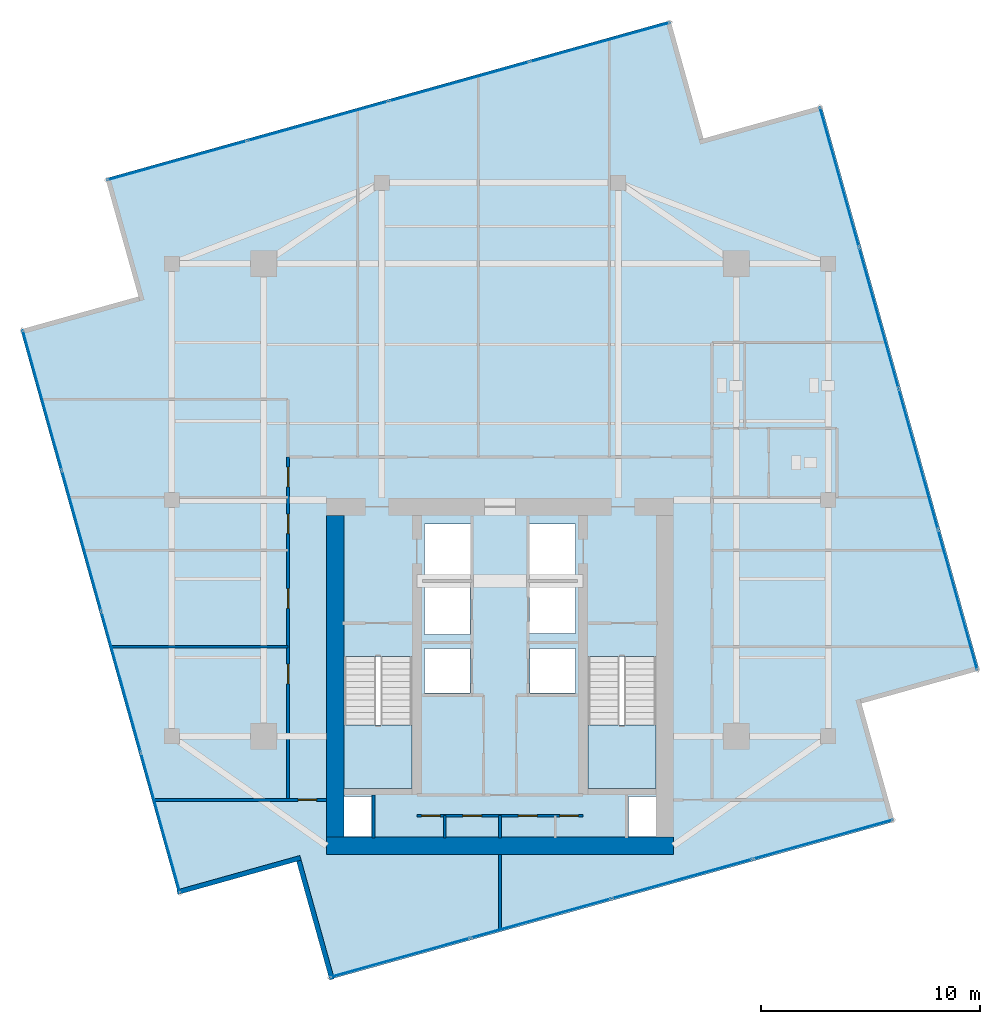
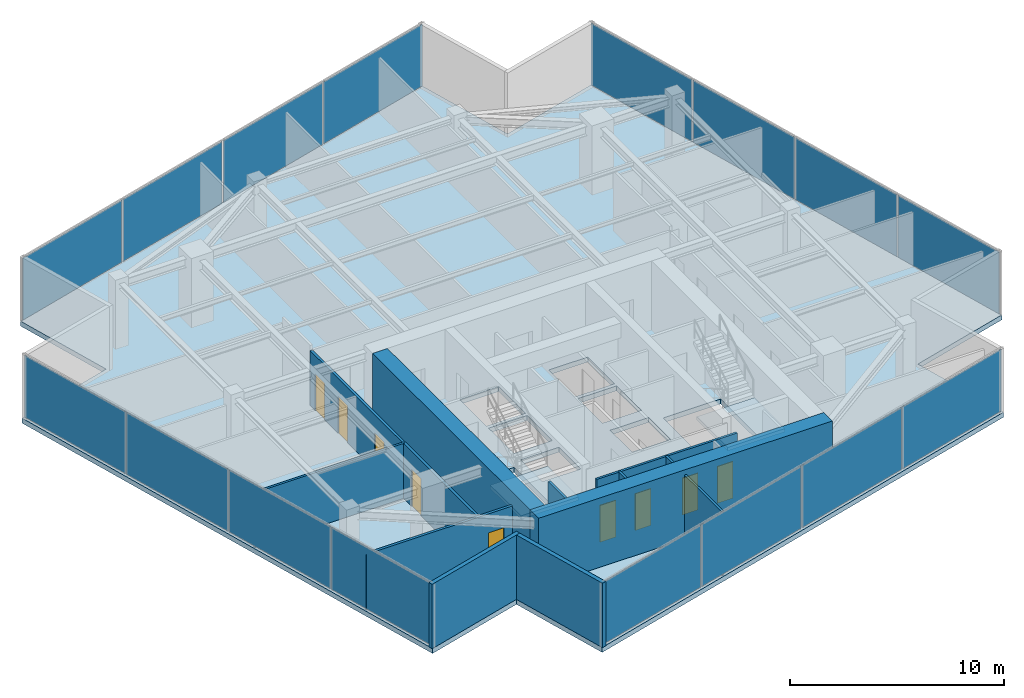
# One storey, part 16 of 20: 16 plates, 12 walls, 9 doors, 3 slabs, 9 openings, 6 elements without a shape of their own.
"""IFC4 building model written with IfcOpenShell, lengths in metres."""

from ifc_helpers import new_model, si_unit, direction, frame, frame_2d, origin, origin_2d, place, context, subcontext, project, spatial, polyline, rectangle, outline, extrude, source, transform, mapped, material, layer, layer_set, type_object, type_shapes, element, fill, aggregate, save


model = new_model("IFC4")

# Units and contexts
model_context = context("Model", 3, precision=1e-05, world=origin(), true_north=direction((0.0, 1.0)))
body_context = subcontext(model_context, "Body", "Model", "MODEL_VIEW")
ifc_project = project(units=[si_unit("LENGTHUNIT", "METRE"), si_unit("AREAUNIT", "SQUARE_METRE"), si_unit("VOLUMEUNIT", "CUBIC_METRE"), si_unit("PLANEANGLEUNIT", "RADIAN"), si_unit("MASSUNIT", "GRAM", prefix="KILO")], contexts=[model_context])

# Site, building, storey
site_placement = place(None, origin())
site = spatial("IfcSite", under=ifc_project, at=site_placement, CompositionType="ELEMENT")
building_placement = place(site_placement, origin())
building = spatial("IfcBuilding", under=site, at=building_placement, Name="Krantzveldt Concourse Tower", CompositionType="ELEMENT")
storey_placement = place(building_placement, frame((0.0, 0.0, 351.39990234375)))
storey = spatial("IfcBuildingStorey", under=building, at=storey_placement, Name="L86", CompositionType="ELEMENT", Elevation=351.39990234375)

# Stair, slab
ifc_material_1 = material(Name="Precast concrete C40/50", Category="concrete")
stair_type = type_object("IfcStairType", Name="STR-CORE-DOGLEG", PredefinedType="HALF_TURN_STAIR", material=ifc_material_1)
stair_1_placement = place(storey_placement, origin())
stair_1 = element("IfcStair", 1, at=stair_1_placement, inside=storey, type_object=stair_type, Name="L86 Protected Escape Stair ST-1", PredefinedType="HALF_TURN_STAIR")
ifc_layer_1 = layer(ifc_material_1, 0.199951171875, Name="Precast concrete C40/50", Category="concrete")
ifc_layer_set_1 = layer_set([ifc_layer_1], Name="Precast concrete C40/50 (SL-LANDING-200)")
slab_type_1 = type_object("IfcSlabType", Name="SL-LANDING-200", PredefinedType="LANDING", material=ifc_layer_set_1)
slab_1_placement = place(storey_placement, frame((0.0, 0.0, 1.775146484375)))
slab_1 = element("IfcSlab", 2, at=slab_1_placement, type_object=slab_type_1, Name="ST-1 landing 1", PredefinedType="LANDING", context=body_context, shape_type="SweptSolid", body=[
    extrude(outline(polyline([(28.8798828125, 16.4150390625), (28.8798828125, 13.52001953125), (31.97998046875, 13.52001953125), (31.97998046875, 16.4150390625), (28.8798828125, 16.4150390625)])), origin(), (0.0, 0.0, 1.0), 0.199951171875),
])
aggregate(stair_1, [slab_1])

stair_2_placement = place(storey_placement, origin())
stair_2 = element("IfcStair", 3, at=stair_2_placement, inside=storey, type_object=stair_type, Name="L86 Protected Escape Stair ST-2", PredefinedType="HALF_TURN_STAIR")
slab_2_placement = place(storey_placement, frame((0.0, 0.0, 1.775146484375)))
slab_2 = element("IfcSlab", 4, at=slab_2_placement, type_object=slab_type_1, Name="ST-2 landing 1", PredefinedType="LANDING", context=body_context, shape_type="SweptSolid", body=[
    extrude(outline(polyline([(40.02001953125, 16.4150390625), (40.02001953125, 13.52001953125), (43.1201171875, 13.52001953125), (43.1201171875, 16.4150390625), (40.02001953125, 16.4150390625)])), origin(), (0.0, 0.0, 1.0), 0.199951171875),
])
aggregate(stair_2, [slab_2])

# Slab
ifc_material_2 = material(Name="Concrete C40/50", Category="concrete")
ifc_layer_2 = layer(ifc_material_2, 0.280029296875, Name="Concrete C40/50", Category="concrete")
ifc_layer_set_2 = layer_set([ifc_layer_2], Name="Concrete C40/50 (SL-SL-TWR280)")
slab_type_2 = type_object("IfcSlabType", Name="SL-SL-TWR280", PredefinedType="FLOOR", material=ifc_layer_set_2)
slab_3_placement = place(storey_placement, frame((0.0, 0.0, -0.27978515625)))
element("IfcSlab", 5, at=slab_3_placement, inside=storey, type_object=slab_type_2, Name="SL-L86-MAIN", PredefinedType="FLOOR", context=body_context, shape_type="SweptSolid", body=[
    extrude(outline(polyline([(45.295654296875, 43.2138671875), (43.787353515625, 48.60693359375), (17.977783203125, 41.388671875), (19.486083984375, 35.99560546875), (14.093017578125, 34.4873046875), (21.311279296875, 8.677734375), (26.704345703125, 10.18603515625), (28.212646484375, 4.79296875), (54.022216796875, 12.01123046875), (52.513916015625, 17.404296875), (57.906982421875, 18.91259765625), (50.688720703125, 44.72216796875), (45.295654296875, 43.2138671875)]), holes=[polyline([(28.8798828125, 19.547607421875), (28.8798828125, 13.52001953125), (31.97998046875, 13.52001953125), (31.97998046875, 19.547607421875), (28.8798828125, 19.547607421875)]), polyline([(40.02001953125, 19.547607421875), (40.02001953125, 13.52001953125), (43.1201171875, 13.52001953125), (43.1201171875, 19.547607421875), (40.02001953125, 19.547607421875)]), polyline([(32.550048828125, 23.10009765625), (34.64990234375, 23.10009765625), (34.64990234375, 25.60009765625), (32.550048828125, 25.60009765625), (32.550048828125, 23.10009765625)]), polyline([(37.35009765625, 23.10009765625), (39.449951171875, 23.10009765625), (39.449951171875, 25.60009765625), (37.35009765625, 25.60009765625), (37.35009765625, 23.10009765625)]), polyline([(37.35009765625, 20.60009765625), (39.449951171875, 20.60009765625), (39.449951171875, 22.89990234375), (37.35009765625, 22.89990234375), (37.35009765625, 20.60009765625)]), polyline([(32.550048828125, 20.550048828125), (34.6201171875, 20.550048828125), (34.6201171875, 22.89990234375), (32.550048828125, 22.89990234375), (32.550048828125, 20.550048828125)]), polyline([(32.550048828125, 17.8798828125), (34.6201171875, 17.8798828125), (34.6201171875, 19.919921875), (32.550048828125, 19.919921875), (32.550048828125, 17.8798828125)]), polyline([(37.3798828125, 17.8798828125), (39.449951171875, 17.8798828125), (39.449951171875, 19.919921875), (37.3798828125, 19.919921875), (37.3798828125, 17.8798828125)]), polyline([(28.8798828125, 11.320068359375), (30.139892578125, 11.320068359375), (30.139892578125, 13.159912109375), (28.8798828125, 13.159912109375), (28.8798828125, 11.320068359375)]), polyline([(41.860107421875, 11.320068359375), (43.1201171875, 11.320068359375), (43.1201171875, 13.159912109375), (41.860107421875, 13.159912109375), (41.860107421875, 11.320068359375)])]), origin(), (0.0, 0.0, 1.0), 0.27978515625),
])

# Curtain wall, plates
ifc_material_3 = material(Name="Anodised aluminium 6063-T6", Category="aluminium")
curtain_wall_type = type_object("IfcCurtainWallType", Name="CW4", PredefinedType="USERDEFINED", material=ifc_material_3)
curtain_wall_1_placement = place(storey_placement, origin())
curtain_wall_1 = element("IfcCurtainWall", 6, at=curtain_wall_1_placement, inside=storey, type_object=curtain_wall_type, Name="CW-L86-F01", ObjectType="UNITISED CURTAIN WALL", PredefinedType="USERDEFINED")
ifc_material_4 = material(Name="Bronze-tinted laminated low-E IGU glass", Category="glass")
ifc_layer_3 = layer(ifc_material_4, 0.031982421875, Name="Bronze-tinted laminated low-E IGU glass", Category="glass")
ifc_layer_set_3 = layer_set([ifc_layer_3], Name="Bronze-tinted laminated low-E IGU glass (CW-GLZ-32)")
plate_type = type_object("IfcPlateType", Name="CW-GLZ-32", PredefinedType="CURTAIN_PANEL", material=ifc_layer_set_3)
shared_shape_1 = source(origin(), body_context, "Body", "SweptSolid", [
    extrude(rectangle(XDim=6.594970703125, YDim=0.031982421875, at=origin_2d()), origin(), (0.0, 0.0, 1.0), 3.530029296875),
])
plate_1_placement = place(storey_placement, frame((40.568603515625, 47.61328125, 0.0703125), z_axis=(0.0, 0.0, 1.0), x_axis=(-0.963045170968, -0.269339931454, 0.0)))
plate_1 = element("IfcPlate", 7, at=plate_1_placement, type_object=plate_type, Name="CW-Z56 panel 1.1", PredefinedType="CURTAIN_PANEL", context=body_context, shape_type="MappedRepresentation", body=[
    mapped(shared_shape_1, transform((0.0, 0.0, 0.0), x_axis=(1.0, 0.0, 0.0), y_axis=(0.0, 1.0, 0.0), z_axis=(0.0, 0.0, 1.0), scale=1.0)),
])
plate_2_placement = place(storey_placement, frame((21.2451171875, 42.208984375, 0.0703125), z_axis=(0.0, 0.0, 1.0), x_axis=(-0.963045170968, -0.269339931454, 0.0)))
plate_2 = element("IfcPlate", 8, at=plate_2_placement, type_object=plate_type, Name="CW-Z56 panel 4.1", PredefinedType="CURTAIN_PANEL", context=body_context, shape_type="MappedRepresentation", body=[
    mapped(shared_shape_1, transform((0.0, 0.0, 0.0), x_axis=(1.0, 0.0, 0.0), y_axis=(0.0, 1.0, 0.0), z_axis=(0.0, 0.0, 1.0), scale=1.0)),
])

curtain_wall_2_placement = place(storey_placement, origin())
curtain_wall_2 = element("IfcCurtainWall", 9, at=curtain_wall_2_placement, inside=storey, type_object=curtain_wall_type, Name="CW-L86-F04", ObjectType="UNITISED CURTAIN WALL", PredefinedType="USERDEFINED")
plate_3_placement = place(storey_placement, frame((15.086669921875, 31.2685546875, 0.0703125), z_axis=(0.0, 0.0, 1.0), x_axis=(0.269339931454, -0.963045170968, 0.0)))
plate_3 = element("IfcPlate", 10, at=plate_3_placement, type_object=plate_type, Name="CW-Z56 panel 1.1", PredefinedType="CURTAIN_PANEL", context=body_context, shape_type="MappedRepresentation", body=[
    mapped(shared_shape_1, transform((0.0, 0.0, 0.0), x_axis=(1.0, 0.0, 0.0), y_axis=(0.0, 1.0, 0.0), z_axis=(0.0, 0.0, 1.0), scale=1.0)),
])
plate_4_placement = place(storey_placement, frame((20.490966796875, 11.945068359375, 0.0703125), z_axis=(0.0, 0.0, 1.0), x_axis=(0.269339931454, -0.963045170968, 0.0)))
plate_4 = element("IfcPlate", 11, at=plate_4_placement, type_object=plate_type, Name="CW-Z56 panel 4.1", PredefinedType="CURTAIN_PANEL", context=body_context, shape_type="MappedRepresentation", body=[
    mapped(shared_shape_1, transform((0.0, 0.0, 0.0), x_axis=(1.0, 0.0, 0.0), y_axis=(0.0, 1.0, 0.0), z_axis=(0.0, 0.0, 1.0), scale=1.0)),
])

curtain_wall_3_placement = place(storey_placement, origin())
curtain_wall_3 = element("IfcCurtainWall", 12, at=curtain_wall_3_placement, inside=storey, type_object=curtain_wall_type, Name="CW-L86-F07", ObjectType="UNITISED CURTAIN WALL", PredefinedType="USERDEFINED")
plate_5_placement = place(storey_placement, frame((31.431396484375, 5.78662109375, 0.0703125), z_axis=(0.0, 0.0, 1.0), x_axis=(0.963045170968, 0.269339931454, 0.0)))
plate_5 = element("IfcPlate", 13, at=plate_5_placement, type_object=plate_type, Name="CW-Z56 panel 1.1", PredefinedType="CURTAIN_PANEL", context=body_context, shape_type="MappedRepresentation", body=[
    mapped(shared_shape_1, transform((0.0, 0.0, 0.0), x_axis=(1.0, 0.0, 0.0), y_axis=(0.0, 1.0, 0.0), z_axis=(0.0, 0.0, 1.0), scale=1.0)),
])
plate_6_placement = place(storey_placement, frame((50.7548828125, 11.19091796875, 0.0703125), z_axis=(0.0, 0.0, 1.0), x_axis=(0.963045170968, 0.269339931454, 0.0)))
plate_6 = element("IfcPlate", 14, at=plate_6_placement, type_object=plate_type, Name="CW-Z56 panel 4.1", PredefinedType="CURTAIN_PANEL", context=body_context, shape_type="MappedRepresentation", body=[
    mapped(shared_shape_1, transform((0.0, 0.0, 0.0), x_axis=(1.0, 0.0, 0.0), y_axis=(0.0, 1.0, 0.0), z_axis=(0.0, 0.0, 1.0), scale=1.0)),
])

curtain_wall_4_placement = place(storey_placement, origin())
curtain_wall_4 = element("IfcCurtainWall", 15, at=curtain_wall_4_placement, inside=storey, type_object=curtain_wall_type, Name="CW-L86-F10", ObjectType="UNITISED CURTAIN WALL", PredefinedType="USERDEFINED")
plate_7_placement = place(storey_placement, frame((56.913330078125, 22.131591796875, 0.0703125), z_axis=(0.0, 0.0, 1.0), x_axis=(-0.269339931454, 0.963045170968, 0.0)))
plate_7 = element("IfcPlate", 16, at=plate_7_placement, type_object=plate_type, Name="CW-Z56 panel 1.1", PredefinedType="CURTAIN_PANEL", context=body_context, shape_type="MappedRepresentation", body=[
    mapped(shared_shape_1, transform((0.0, 0.0, 0.0), x_axis=(1.0, 0.0, 0.0), y_axis=(0.0, 1.0, 0.0), z_axis=(0.0, 0.0, 1.0), scale=1.0)),
])
plate_8_placement = place(storey_placement, frame((51.509033203125, 41.455078125, 0.0703125), z_axis=(0.0, 0.0, 1.0), x_axis=(-0.269339931454, 0.963045170968, 0.0)))
plate_8 = element("IfcPlate", 17, at=plate_8_placement, type_object=plate_type, Name="CW-Z56 panel 4.1", PredefinedType="CURTAIN_PANEL", context=body_context, shape_type="MappedRepresentation", body=[
    mapped(shared_shape_1, transform((0.0, 0.0, 0.0), x_axis=(1.0, 0.0, 0.0), y_axis=(0.0, 1.0, 0.0), z_axis=(0.0, 0.0, 1.0), scale=1.0)),
])

# Plate
shared_shape_2 = source(origin(), body_context, "Body", "SweptSolid", [
    extrude(rectangle(XDim=6.6298828125, YDim=0.031982421875, at=origin_2d()), origin(), (0.0, 0.0, 1.0), 3.530029296875),
])
type_shapes(plate_type, [shared_shape_1, shared_shape_2])
plate_9_placement = place(storey_placement, frame((34.133056640625, 45.8134765625, 0.0703125), z_axis=(0.0, 0.0, 1.0), x_axis=(-0.963045170968, -0.269339931454, 0.0)))
plate_9 = element("IfcPlate", 18, at=plate_9_placement, type_object=plate_type, Name="CW-Z56 panel 2.1", PredefinedType="CURTAIN_PANEL", context=body_context, shape_type="MappedRepresentation", body=[
    mapped(shared_shape_2, transform((0.0, 0.0, 0.0), x_axis=(1.0, 0.0, 0.0), y_axis=(0.0, 1.0, 0.0), z_axis=(0.0, 0.0, 1.0), scale=1.0)),
])

plate_10_placement = place(storey_placement, frame((27.6806640625, 44.0087890625, 0.0703125), z_axis=(0.0, 0.0, 1.0), x_axis=(-0.963045170968, -0.269339931454, 0.0)))
plate_10 = element("IfcPlate", 19, at=plate_10_placement, type_object=plate_type, Name="CW-Z56 panel 3.1", PredefinedType="CURTAIN_PANEL", context=body_context, shape_type="MappedRepresentation", body=[
    mapped(shared_shape_2, transform((0.0, 0.0, 0.0), x_axis=(1.0, 0.0, 0.0), y_axis=(0.0, 1.0, 0.0), z_axis=(0.0, 0.0, 1.0), scale=1.0)),
])

aggregate(curtain_wall_1, [plate_1, plate_9, plate_10, plate_2])

plate_11_placement = place(storey_placement, frame((16.886474609375, 24.8330078125, 0.0703125), z_axis=(0.0, 0.0, 1.0), x_axis=(0.269339931454, -0.963045170968, 0.0)))
plate_11 = element("IfcPlate", 20, at=plate_11_placement, type_object=plate_type, Name="CW-Z56 panel 2.1", PredefinedType="CURTAIN_PANEL", context=body_context, shape_type="MappedRepresentation", body=[
    mapped(shared_shape_2, transform((0.0, 0.0, 0.0), x_axis=(1.0, 0.0, 0.0), y_axis=(0.0, 1.0, 0.0), z_axis=(0.0, 0.0, 1.0), scale=1.0)),
])

plate_12_placement = place(storey_placement, frame((18.691162109375, 18.380615234375, 0.0703125), z_axis=(0.0, 0.0, 1.0), x_axis=(0.269339931454, -0.963045170968, 0.0)))
plate_12 = element("IfcPlate", 21, at=plate_12_placement, type_object=plate_type, Name="CW-Z56 panel 3.1", PredefinedType="CURTAIN_PANEL", context=body_context, shape_type="MappedRepresentation", body=[
    mapped(shared_shape_2, transform((0.0, 0.0, 0.0), x_axis=(1.0, 0.0, 0.0), y_axis=(0.0, 1.0, 0.0), z_axis=(0.0, 0.0, 1.0), scale=1.0)),
])

aggregate(curtain_wall_2, [plate_3, plate_11, plate_12, plate_4])

plate_13_placement = place(storey_placement, frame((37.866943359375, 7.58642578125, 0.0703125), z_axis=(0.0, 0.0, 1.0), x_axis=(0.963045170968, 0.269339931454, 0.0)))
plate_13 = element("IfcPlate", 22, at=plate_13_placement, type_object=plate_type, Name="CW-Z56 panel 2.1", PredefinedType="CURTAIN_PANEL", context=body_context, shape_type="MappedRepresentation", body=[
    mapped(shared_shape_2, transform((0.0, 0.0, 0.0), x_axis=(1.0, 0.0, 0.0), y_axis=(0.0, 1.0, 0.0), z_axis=(0.0, 0.0, 1.0), scale=1.0)),
])

plate_14_placement = place(storey_placement, frame((44.3193359375, 9.39111328125, 0.0703125), z_axis=(0.0, 0.0, 1.0), x_axis=(0.963045170968, 0.269339931454, 0.0)))
plate_14 = element("IfcPlate", 23, at=plate_14_placement, type_object=plate_type, Name="CW-Z56 panel 3.1", PredefinedType="CURTAIN_PANEL", context=body_context, shape_type="MappedRepresentation", body=[
    mapped(shared_shape_2, transform((0.0, 0.0, 0.0), x_axis=(1.0, 0.0, 0.0), y_axis=(0.0, 1.0, 0.0), z_axis=(0.0, 0.0, 1.0), scale=1.0)),
])

aggregate(curtain_wall_3, [plate_5, plate_13, plate_14, plate_6])

plate_15_placement = place(storey_placement, frame((55.113525390625, 28.567138671875, 0.0703125), z_axis=(0.0, 0.0, 1.0), x_axis=(-0.269339931454, 0.963045170968, 0.0)))
plate_15 = element("IfcPlate", 24, at=plate_15_placement, type_object=plate_type, Name="CW-Z56 panel 2.1", PredefinedType="CURTAIN_PANEL", context=body_context, shape_type="MappedRepresentation", body=[
    mapped(shared_shape_2, transform((0.0, 0.0, 0.0), x_axis=(1.0, 0.0, 0.0), y_axis=(0.0, 1.0, 0.0), z_axis=(0.0, 0.0, 1.0), scale=1.0)),
])

plate_16_placement = place(storey_placement, frame((53.308837890625, 35.01953125, 0.0703125), z_axis=(0.0, 0.0, 1.0), x_axis=(-0.269339931454, 0.963045170968, 0.0)))
plate_16 = element("IfcPlate", 25, at=plate_16_placement, type_object=plate_type, Name="CW-Z56 panel 3.1", PredefinedType="CURTAIN_PANEL", context=body_context, shape_type="MappedRepresentation", body=[
    mapped(shared_shape_2, transform((0.0, 0.0, 0.0), x_axis=(1.0, 0.0, 0.0), y_axis=(0.0, 1.0, 0.0), z_axis=(0.0, 0.0, 1.0), scale=1.0)),
])

aggregate(curtain_wall_4, [plate_7, plate_15, plate_16, plate_8])

# Walls
ifc_layer_4 = layer(ifc_material_3, 0.219970703125, Name="Anodised aluminium 6063-T6", Category="aluminium")
ifc_layer_set_4 = layer_set([ifc_layer_4], Name="Anodised aluminium 6063-T6 (WL-EXT-NOTCH220)")
wall_type_1 = type_object("IfcWallType", Name="WL-EXT-NOTCH220", PredefinedType="ELEMENTEDWALL", material=ifc_layer_set_4)
wall_1_placement = place(storey_placement, frame((21.257568359375, 8.77685546875, 0.0), z_axis=(0.0, 0.0, 1.0), x_axis=(0.963036430781, 0.269371180695, 0.0)))
element("IfcWall", 26, at=wall_1_placement, inside=storey, type_object=wall_type_1, Name="EW-L86-NCH05", PredefinedType="ELEMENTEDWALL", context=body_context, shape_type="SweptSolid", body=[
    extrude(rectangle(XDim=5.844970703125, YDim=0.219970703125, at=frame_2d((2.92236328125, 0.0))), origin(), (0.0, 0.0, 1.0), 3.670166015625),
])
wall_2_placement = place(storey_placement, frame((26.810302734375, 10.215576171875, 0.0), z_axis=(0.0, 0.0, 1.0), x_axis=(0.269362667524, -0.963038811961, 0.0)))
element("IfcWall", 27, at=wall_2_placement, inside=storey, type_object=wall_type_1, Name="EW-L86-NCH06", PredefinedType="ELEMENTEDWALL", context=body_context, shape_type="SweptSolid", body=[
    extrude(rectangle(XDim=5.625, YDim=0.219970703125, at=frame_2d((2.8125, 0.0))), origin(), (0.0, 0.0, 1.0), 3.670166015625),
])

# Wall, openings, doors
ifc_material_5 = material(Name="Fire-rated gypsum plasterboard on steel stud", Category="steel")
ifc_layer_5 = layer(ifc_material_5, 0.1201171875, Name="Fire-rated gypsum plasterboard on steel stud", Category="steel")
ifc_layer_set_5 = layer_set([ifc_layer_5], Name="Fire-rated gypsum plasterboard on steel stud (WL-PART-120)")
wall_type_2 = type_object("IfcWallType", Name="WL-PART-120", PredefinedType="PARTITIONING", material=ifc_layer_set_5)
wall_3_placement = place(storey_placement, frame((32.2099609375, 12.280029296875, 0.0), z_axis=(0.0, 0.0, 1.0), x_axis=(1.0, 0.0, 0.0)))
wall_3 = element("IfcWall", 28, at=wall_3_placement, inside=storey, type_object=wall_type_2, Name="WP-L86-CSD-HM", PredefinedType="PARTITIONING", context=body_context, shape_type="SweptSolid", body=[
    extrude(rectangle(XDim=7.580078125, YDim=0.1201171875, at=frame_2d((3.7900390625, 0.0))), origin(), (0.0, 0.0, 1.0), 3.670166015625),
])
opening_1_placement = place(wall_3_placement, frame((0.205078125, 0.0, 0.0)))
opening_1 = element("IfcOpeningElement", 29, at=opening_1_placement, cuts=wall_3, Name="Opening D-IN085", PredefinedType="OPENING", context=body_context, shape_type="SweptSolid", body=[
    extrude(rectangle(XDim=0.85009765625, YDim=2.10009765625, at=frame_2d((0.425048828125, 1.050048828125))), frame((0.0, 0.070068359375, 0.0), z_axis=(0.0, -1.0, 0.0), x_axis=(1.0, 0.0, 0.0)), (0.0, 0.0, 1.0), 0.14013671875),
])
opening_2_placement = place(wall_3_placement, frame((2.094970703125, 0.0, 0.0)))
opening_2 = element("IfcOpeningElement", 30, at=opening_2_placement, cuts=wall_3, Name="Opening D-IN085", PredefinedType="OPENING", context=body_context, shape_type="SweptSolid", body=[
    extrude(rectangle(XDim=0.85009765625, YDim=2.10009765625, at=frame_2d((0.425048828125, 1.050048828125))), frame((0.0, 0.070068359375, 0.0), z_axis=(0.0, -1.0, 0.0), x_axis=(1.0, 0.0, 0.0)), (0.0, 0.0, 1.0), 0.14013671875),
])
opening_3_placement = place(wall_3_placement, frame((4.635009765625, 0.0, 0.0)))
opening_3 = element("IfcOpeningElement", 31, at=opening_3_placement, cuts=wall_3, Name="Opening D-IN085", PredefinedType="OPENING", context=body_context, shape_type="SweptSolid", body=[
    extrude(rectangle(XDim=0.85009765625, YDim=2.10009765625, at=frame_2d((0.425048828125, 1.050048828125))), frame((0.0, 0.070068359375, 0.0), z_axis=(0.0, -1.0, 0.0), x_axis=(1.0, 0.0, 0.0)), (0.0, 0.0, 1.0), 0.14013671875),
])
opening_4_placement = place(wall_3_placement, frame((6.52490234375, 0.0, 0.0)))
opening_4 = element("IfcOpeningElement", 32, at=opening_4_placement, cuts=wall_3, Name="Opening D-IN085", PredefinedType="OPENING", context=body_context, shape_type="SweptSolid", body=[
    extrude(rectangle(XDim=0.85009765625, YDim=2.10009765625, at=frame_2d((0.425048828125, 1.050048828125))), frame((0.0, 0.070068359375, 0.0), z_axis=(0.0, -1.0, 0.0), x_axis=(1.0, 0.0, 0.0)), (0.0, 0.0, 1.0), 0.14013671875),
])
ifc_material_6 = material(Name="Hardwood timber", Category="wood")
door_type_1 = type_object("IfcDoorType", Name="DR-INT-850", OperationType="SINGLE_SWING_LEFT", PredefinedType="DOOR", material=ifc_material_6)
door_1_placement = place(opening_1_placement, origin())
door_1 = element("IfcDoor", 33, at=door_1_placement, inside=storey, type_object=door_type_1, Name="DR-L86-CSD1", OperationType="SINGLE_SWING_RIGHT", OverallHeight=2.10009765625, OverallWidth=0.85009765625, PredefinedType="DOOR", context=body_context, shape_type="SweptSolid", body=[
    extrude(rectangle(XDim=0.85009765625, YDim=2.10009765625, at=frame_2d((0.425048828125, 1.050048828125))), frame((0.0, 0.02490234375, 0.0), z_axis=(0.0, -1.0, 0.0), x_axis=(1.0, 0.0, 0.0)), (0.0, 0.0, 1.0), 0.050048828125),
])
fill(opening_1, door_1)
door_2_placement = place(opening_2_placement, origin())
door_2 = element("IfcDoor", 34, at=door_2_placement, inside=storey, type_object=door_type_1, Name="DR-L86-CSD2", OperationType="SINGLE_SWING_RIGHT", OverallHeight=2.10009765625, OverallWidth=0.85009765625, PredefinedType="DOOR", context=body_context, shape_type="SweptSolid", body=[
    extrude(rectangle(XDim=0.85009765625, YDim=2.10009765625, at=frame_2d((0.425048828125, 1.050048828125))), frame((0.0, 0.02490234375, 0.0), z_axis=(0.0, -1.0, 0.0), x_axis=(1.0, 0.0, 0.0)), (0.0, 0.0, 1.0), 0.050048828125),
])
fill(opening_2, door_2)
door_3_placement = place(opening_3_placement, origin())
door_3 = element("IfcDoor", 35, at=door_3_placement, inside=storey, type_object=door_type_1, Name="DR-L86-CSD3", OperationType="SINGLE_SWING_RIGHT", OverallHeight=2.10009765625, OverallWidth=0.85009765625, PredefinedType="DOOR", context=body_context, shape_type="SweptSolid", body=[
    extrude(rectangle(XDim=0.85009765625, YDim=2.10009765625, at=frame_2d((0.425048828125, 1.050048828125))), frame((0.0, 0.02490234375, 0.0), z_axis=(0.0, -1.0, 0.0), x_axis=(1.0, 0.0, 0.0)), (0.0, 0.0, 1.0), 0.050048828125),
])
fill(opening_3, door_3)
door_4_placement = place(opening_4_placement, origin())
door_4 = element("IfcDoor", 36, at=door_4_placement, inside=storey, type_object=door_type_1, Name="DR-L86-CSD4", OperationType="SINGLE_SWING_RIGHT", OverallHeight=2.10009765625, OverallWidth=0.85009765625, PredefinedType="DOOR", context=body_context, shape_type="SweptSolid", body=[
    extrude(rectangle(XDim=0.85009765625, YDim=2.10009765625, at=frame_2d((0.425048828125, 1.050048828125))), frame((0.0, 0.02490234375, 0.0), z_axis=(0.0, -1.0, 0.0), x_axis=(1.0, 0.0, 0.0)), (0.0, 0.0, 1.0), 0.050048828125),
])
fill(opening_4, door_4)

# Walls
for number, where, z_axis, x_axis, name in (
    (37, (33.469970703125, 11.25, 0.0), (0.0, 0.0, 1.0), (0.0, 1.0, 0.0), "WP-L86-CSD-V1"),
    (38, (36.0, 11.25, 0.0), (0.0, 0.0, 1.0), (0.0, 1.0, 0.0), "WP-L86-CSD-V2"),
):
    element("IfcWall", number, at=place(storey_placement, frame(where, z_axis=z_axis, x_axis=x_axis)), inside=storey, type_object=wall_type_2, Name=name, PredefinedType="PARTITIONING", context=body_context, shape_type="SweptSolid", body=[
        extrude(rectangle(XDim=1.030029296875, YDim=0.1201171875, at=frame_2d((0.51513671875, 0.0))), origin(), (0.0, 0.0, 1.0), 3.670166015625),
    ])
wall_4_placement = place(storey_placement, frame((18.23828125, 20.0, 0.0), z_axis=(0.0, 0.0, 1.0), x_axis=(1.0, 0.0, 0.0)))
element("IfcWall", 39, at=wall_4_placement, inside=storey, type_object=wall_type_2, Name="WP-L86-WD1", PredefinedType="PARTITIONING", context=body_context, shape_type="SweptSolid", body=[
    extrude(rectangle(XDim=8.081787109375, YDim=0.1201171875, at=frame_2d((4.041015625, 0.0))), origin(), (0.0, 0.0, 1.0), 3.130126953125),
])
wall_5_placement = place(storey_placement, frame((36.0, 7.064453125, 0.0), z_axis=(0.0, 0.0, 1.0), x_axis=(0.0, 1.0, 0.0)))
element("IfcWall", 40, at=wall_5_placement, inside=storey, type_object=wall_type_2, Name="WP-L86-SSMD", PredefinedType="PARTITIONING", context=body_context, shape_type="SweptSolid", body=[
    extrude(rectangle(XDim=3.435546875, YDim=0.1201171875, at=frame_2d((1.7177734375, 0.0))), origin(), (0.0, 0.0, 1.0), 3.670166015625),
])

# Wall, openings, doors
ifc_layer_6 = layer(ifc_material_5, 0.139892578125, Name="Fire-rated gypsum plasterboard on steel stud", Category="steel")
ifc_layer_set_6 = layer_set([ifc_layer_6], Name="Fire-rated gypsum plasterboard on steel stud (WL-PART-140)")
wall_type_3 = type_object("IfcWallType", Name="WL-PART-140", PredefinedType="PARTITIONING", material=ifc_layer_set_6)
wall_6_placement = place(storey_placement, frame((26.320068359375, 13.0, 0.0), z_axis=(0.0, 0.0, 1.0), x_axis=(0.0, 1.0, 0.0)))
wall_6 = element("IfcWall", 41, at=wall_6_placement, inside=storey, type_object=wall_type_3, Name="WP-L86-CWEST", PredefinedType="PARTITIONING", context=body_context, shape_type="SweptSolid", body=[
    extrude(rectangle(XDim=15.659912109375, YDim=0.139892578125, at=frame_2d((7.830078125, 0.0))), origin(), (0.0, 0.0, 1.0), 3.130126953125),
])
opening_5_placement = place(wall_6_placement, frame((14.300048828125, 0.0, 0.0)))
opening_5 = element("IfcOpeningElement", 42, at=opening_5_placement, cuts=wall_6, Name="Opening D-IN090", PredefinedType="OPENING", context=body_context, shape_type="SweptSolid", body=[
    extrude(rectangle(XDim=0.89990234375, YDim=2.10009765625, at=frame_2d((0.449951171875, 1.050048828125))), frame((0.0, 0.080078125, 0.0), z_axis=(0.0, -1.0, 0.0), x_axis=(1.0, 0.0, 0.0)), (0.0, 0.0, 1.0), 0.159912109375),
])
opening_6_placement = place(wall_6_placement, frame((5.300048828125, 0.0, 0.0)))
opening_6 = element("IfcOpeningElement", 43, at=opening_6_placement, cuts=wall_6, Name="Opening D-IN090", PredefinedType="OPENING", context=body_context, shape_type="SweptSolid", body=[
    extrude(rectangle(XDim=0.89990234375, YDim=2.10009765625, at=frame_2d((0.449951171875, 1.050048828125))), frame((0.0, 0.080078125, 0.0), z_axis=(0.0, -1.0, 0.0), x_axis=(1.0, 0.0, 0.0)), (0.0, 0.0, 1.0), 0.159912109375),
])
opening_7_placement = place(wall_6_placement, frame((8.75, 0.0, 0.0)))
opening_7 = element("IfcOpeningElement", 44, at=opening_7_placement, cuts=wall_6, Name="Opening D-IN090", PredefinedType="OPENING", context=body_context, shape_type="SweptSolid", body=[
    extrude(rectangle(XDim=0.89990234375, YDim=2.10009765625, at=frame_2d((0.449951171875, 1.050048828125))), frame((0.0, 0.080078125, 0.0), z_axis=(0.0, -1.0, 0.0), x_axis=(1.0, 0.0, 0.0)), (0.0, 0.0, 1.0), 0.159912109375),
])
opening_8_placement = place(wall_6_placement, frame((12.159912109375, 0.0, 0.0)))
opening_8 = element("IfcOpeningElement", 45, at=opening_8_placement, cuts=wall_6, Name="Opening D-IN090", PredefinedType="OPENING", context=body_context, shape_type="SweptSolid", body=[
    extrude(rectangle(XDim=0.89990234375, YDim=2.10009765625, at=frame_2d((0.449951171875, 1.050048828125))), frame((0.0, 0.080078125, 0.0), z_axis=(0.0, -1.0, 0.0), x_axis=(1.0, 0.0, 0.0)), (0.0, 0.0, 1.0), 0.159912109375),
])
door_type_2 = type_object("IfcDoorType", Name="DR-INT-900", OperationType="SINGLE_SWING_LEFT", PredefinedType="DOOR", material=ifc_material_6)
door_5_placement = place(opening_5_placement, origin())
door_5 = element("IfcDoor", 46, at=door_5_placement, inside=storey, type_object=door_type_2, Name="DR-L86-PNT", OperationType="SINGLE_SWING_LEFT", OverallHeight=2.10009765625, OverallWidth=0.89990234375, PredefinedType="DOOR", context=body_context, shape_type="SweptSolid", body=[
    extrude(rectangle(XDim=0.89990234375, YDim=2.10009765625, at=frame_2d((0.449951171875, 1.050048828125))), frame((0.0, 0.02490234375, 0.0), z_axis=(0.0, -1.0, 0.0), x_axis=(1.0, 0.0, 0.0)), (0.0, 0.0, 1.0), 0.050048828125),
])
fill(opening_5, door_5)
door_6_placement = place(opening_6_placement, origin())
door_6 = element("IfcDoor", 47, at=door_6_placement, inside=storey, type_object=door_type_2, Name="DR-L86-WR1", OperationType="SINGLE_SWING_LEFT", OverallHeight=2.10009765625, OverallWidth=0.89990234375, PredefinedType="DOOR", context=body_context, shape_type="SweptSolid", body=[
    extrude(rectangle(XDim=0.89990234375, YDim=2.10009765625, at=frame_2d((0.449951171875, 1.050048828125))), frame((0.0, 0.02490234375, 0.0), z_axis=(0.0, -1.0, 0.0), x_axis=(1.0, 0.0, 0.0)), (0.0, 0.0, 1.0), 0.050048828125),
])
fill(opening_6, door_6)
door_7_placement = place(opening_7_placement, origin())
door_7 = element("IfcDoor", 48, at=door_7_placement, inside=storey, type_object=door_type_2, Name="DR-L86-WR2", OperationType="SINGLE_SWING_LEFT", OverallHeight=2.10009765625, OverallWidth=0.89990234375, PredefinedType="DOOR", context=body_context, shape_type="SweptSolid", body=[
    extrude(rectangle(XDim=0.89990234375, YDim=2.10009765625, at=frame_2d((0.449951171875, 1.050048828125))), frame((0.0, 0.02490234375, 0.0), z_axis=(0.0, -1.0, 0.0), x_axis=(1.0, 0.0, 0.0)), (0.0, 0.0, 1.0), 0.050048828125),
])
fill(opening_7, door_7)
door_8_placement = place(opening_8_placement, origin())
door_8 = element("IfcDoor", 49, at=door_8_placement, inside=storey, type_object=door_type_2, Name="DR-L86-WR3", OperationType="SINGLE_SWING_LEFT", OverallHeight=2.10009765625, OverallWidth=0.89990234375, PredefinedType="DOOR", context=body_context, shape_type="SweptSolid", body=[
    extrude(rectangle(XDim=0.89990234375, YDim=2.10009765625, at=frame_2d((0.449951171875, 1.050048828125))), frame((0.0, 0.02490234375, 0.0), z_axis=(0.0, -1.0, 0.0), x_axis=(1.0, 0.0, 0.0)), (0.0, 0.0, 1.0), 0.050048828125),
])
fill(opening_8, door_8)

# Wall, opening, door
wall_7_placement = place(storey_placement, frame((20.19580078125, 13.0, 0.0), z_axis=(0.0, 0.0, 1.0), x_axis=(1.0, 0.0, 0.0)))
wall_7 = element("IfcWall", 50, at=wall_7_placement, inside=storey, type_object=wall_type_3, Name="WP-L86-CSBOTW", PredefinedType="PARTITIONING", context=body_context, shape_type="SweptSolid", body=[
    extrude(rectangle(XDim=7.88427734375, YDim=0.139892578125, at=frame_2d((3.942138671875, 0.0))), origin(), (0.0, 0.0, 1.0), 3.18017578125),
])
opening_9_placement = place(wall_7_placement, frame((6.5791015625, 0.0, 0.0)))
opening_9 = element("IfcOpeningElement", 51, at=opening_9_placement, cuts=wall_7, Name="Opening D-IN085", PredefinedType="OPENING", context=body_context, shape_type="SweptSolid", body=[
    extrude(rectangle(XDim=0.85009765625, YDim=2.10009765625, at=frame_2d((0.425048828125, 1.050048828125))), frame((0.0, 0.080078125, 0.0), z_axis=(0.0, -1.0, 0.0), x_axis=(1.0, 0.0, 0.0)), (0.0, 0.0, 1.0), 0.159912109375),
])
door_9_placement = place(opening_9_placement, origin())
door_9 = element("IfcDoor", 52, at=door_9_placement, inside=storey, type_object=door_type_1, Name="DR-L86-SR1", OperationType="SINGLE_SWING_LEFT", OverallHeight=2.10009765625, OverallWidth=0.85009765625, PredefinedType="DOOR", context=body_context, shape_type="SweptSolid", body=[
    extrude(rectangle(XDim=0.85009765625, YDim=2.10009765625, at=frame_2d((0.425048828125, 1.050048828125))), frame((0.0, 0.02490234375, 0.0), z_axis=(0.0, -1.0, 0.0), x_axis=(1.0, 0.0, 0.0)), (0.0, 0.0, 1.0), 0.050048828125),
])
fill(opening_9, door_9)

# Walls
ifc_layer_7 = layer(ifc_material_5, 0.139892578125, Name="Fire-rated gypsum plasterboard on steel stud", Category="steel")
ifc_layer_set_7 = layer_set([ifc_layer_7], Name="Fire-rated gypsum plasterboard on steel stud (WL-PART-FR140)")
wall_type_4 = type_object("IfcWallType", Name="WL-PART-FR140", PredefinedType="PARTITIONING", material=ifc_layer_set_7)
wall_8_placement = place(storey_placement, frame((30.219970703125, 11.25, 0.0), z_axis=(0.0, 0.0, 1.0), x_axis=(0.0, 1.0, 0.0)))
element("IfcWall", 53, at=wall_8_placement, inside=storey, type_object=wall_type_4, Name="WP-L86-RSW", PredefinedType="PARTITIONING", context=body_context, shape_type="SweptSolid", body=[
    extrude(rectangle(XDim=1.969970703125, YDim=0.1201171875, at=frame_2d((0.98486328125, 0.0))), origin(), (0.0, 0.0, 1.0), 3.670166015625),
])
ifc_material_7 = material(Name="Concrete C60/75", Category="concrete")
ifc_layer_8 = layer(ifc_material_7, 0.800048828125, Name="Concrete C60/75", Category="concrete")
ifc_layer_set_8 = layer_set([ifc_layer_8], Name="Concrete C60/75 (WL-SHEAR-800)")
wall_type_5 = type_object("IfcWallType", Name="WL-SHEAR-800", PredefinedType="SHEAR", material=ifc_layer_set_8)
wall_9_placement = place(storey_placement, frame((28.080078125, 10.89990234375, 0.0), z_axis=(0.0, 0.0, 1.0), x_axis=(1.0, 0.0, 0.0)))
element("IfcWall", 54, at=wall_9_placement, inside=storey, type_object=wall_type_5, Name="CW-L86-S", PredefinedType="SHEAR", context=body_context, shape_type="SweptSolid", body=[
    extrude(rectangle(XDim=15.83984375, YDim=0.800048828125, at=frame_2d((7.919921875, 0.0))), origin(), (0.0, 0.0, 1.0), 3.9501953125),
])
wall_10_placement = place(storey_placement, frame((28.47998046875, 11.300048828125, 0.0), z_axis=(0.0, 0.0, 1.0), x_axis=(0.0, 1.0, 0.0)))
element("IfcWall", 55, at=wall_10_placement, inside=storey, type_object=wall_type_5, Name="CW-L86-W", PredefinedType="SHEAR", context=body_context, shape_type="SweptSolid", body=[
    extrude(rectangle(XDim=14.699951171875, YDim=0.800048828125, at=frame_2d((7.35009765625, 0.0))), origin(), (0.0, 0.0, 1.0), 3.9501953125),
])

save(model, "model.ifc")
